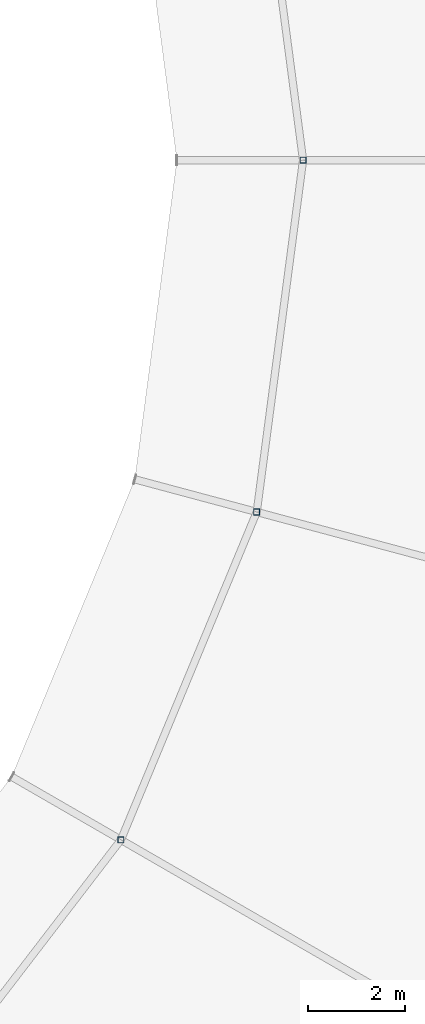
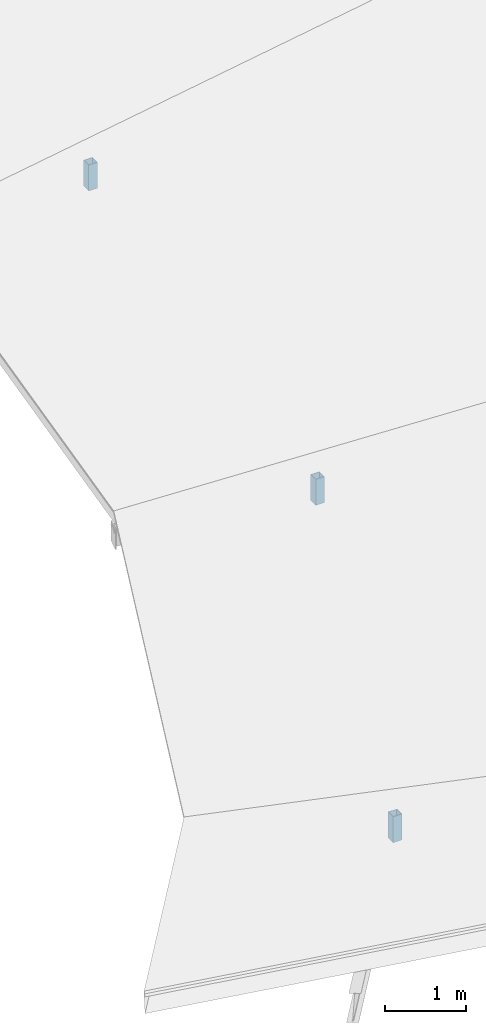
# One storey, part 132 of 200: 3 members.
"""IFC4 building model written with IfcOpenShell, lengths in metres."""

from ifc_helpers import new_model, si_unit, direction, frame, origin, origin_2d, place, context, subcontext, project, spatial, hollow_rectangle, extrude, material, material_profile, profile_set, type_object, element, save


model = new_model("IFC4")

# Units and contexts
model_context = context("Model", 3, precision=1e-05, world=origin(), true_north=direction((0.0, 1.0)))
body_context = subcontext(model_context, "Body", "Model", "MODEL_VIEW")
ifc_project = project(units=[si_unit("LENGTHUNIT", "METRE"), si_unit("AREAUNIT", "SQUARE_METRE"), si_unit("VOLUMEUNIT", "CUBIC_METRE"), si_unit("PLANEANGLEUNIT", "RADIAN"), si_unit("MASSUNIT", "GRAM", prefix="KILO")], contexts=[model_context])

# Site, building, storey
site_placement = place(None, origin())
site = spatial("IfcSite", under=ifc_project, at=site_placement, CompositionType="ELEMENT")
building_placement = place(site_placement, origin())
building = spatial("IfcBuilding", under=site, at=building_placement, Name="Vondelvale Polytechnic", CompositionType="ELEMENT")
storey_placement = place(building_placement, frame((0.0, 0.0, 13.800048828125)))
storey = spatial("IfcBuildingStorey", under=building, at=storey_placement, Name="L03", CompositionType="ELEMENT", Elevation=13.800048828125)

# Members
ifc_material = material(Name="Steel C350L0 (fy = 350 MPa)", Category="steel")
ifc_material_profile = material_profile(ifc_material, hollow_rectangle(XDim=0.125, YDim=0.125, WallThickness=0.006103515625, at=origin_2d()), Name="125x125x6.0SHS")
ifc_profile_set = profile_set([ifc_material_profile], Name="Steel C350L0 (fy = 350 MPa)")
member_type = type_object("IfcMemberType", Name="ROOF TRUSS POST 125SHS", PredefinedType="POST", material=ifc_profile_set)
for number, where, z_axis, x_axis, name in (
    (1, (130.0, 72.0, 0.0), (0.0, 0.0, 1.0), (1.0, 0.0, 0.0), "Ring inner eave post 00"),
    (2, (126.248779296875, 58.0, 0.0), (0.0, 0.0, 1.0), (1.0, 0.0, 0.0), "Ring inner eave post 22"),
    (3, (129.0458984375, 64.753173828125, 0.0), (0.0, 0.0, 1.0), (1.0, 0.0, 0.0), "Ring inner eave post 23"),
):
    element("IfcMember", number, at=place(storey_placement, frame(where, z_axis=z_axis, x_axis=x_axis)), inside=storey, type_object=member_type, Name=name, PredefinedType="POST", context=body_context, shape_type="SweptSolid", body=[
        extrude(hollow_rectangle(XDim=0.125, YDim=0.125, WallThickness=0.006103515625, at=origin_2d()), origin(), (0.0, 0.0, 1.0), 0.3916015625),
    ])

save(model, "model.ifc")
